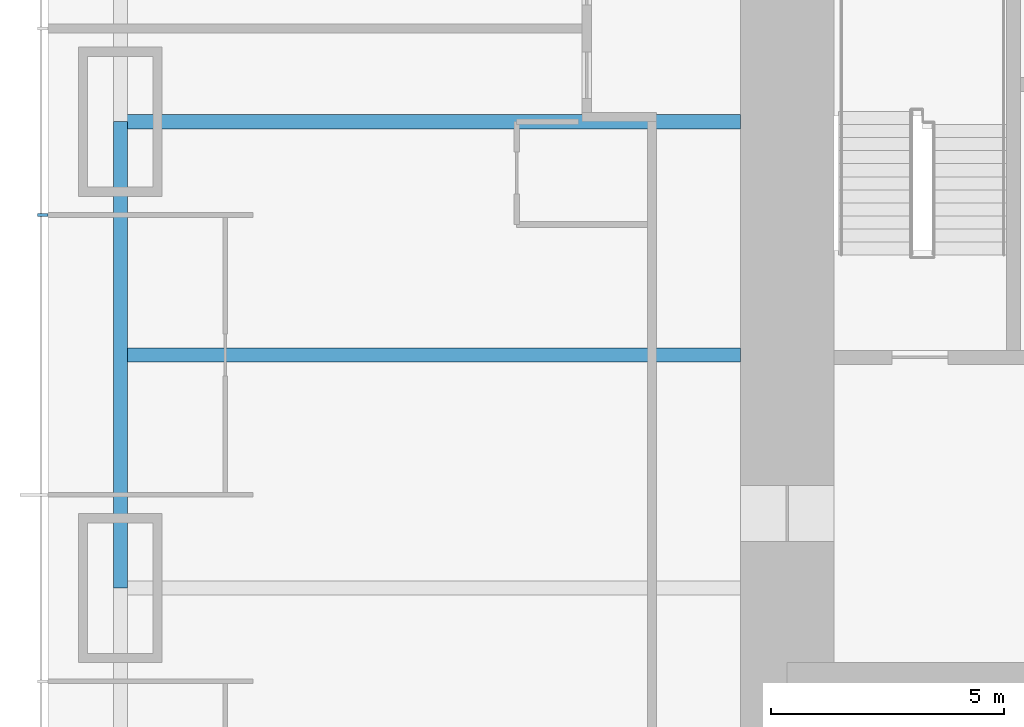
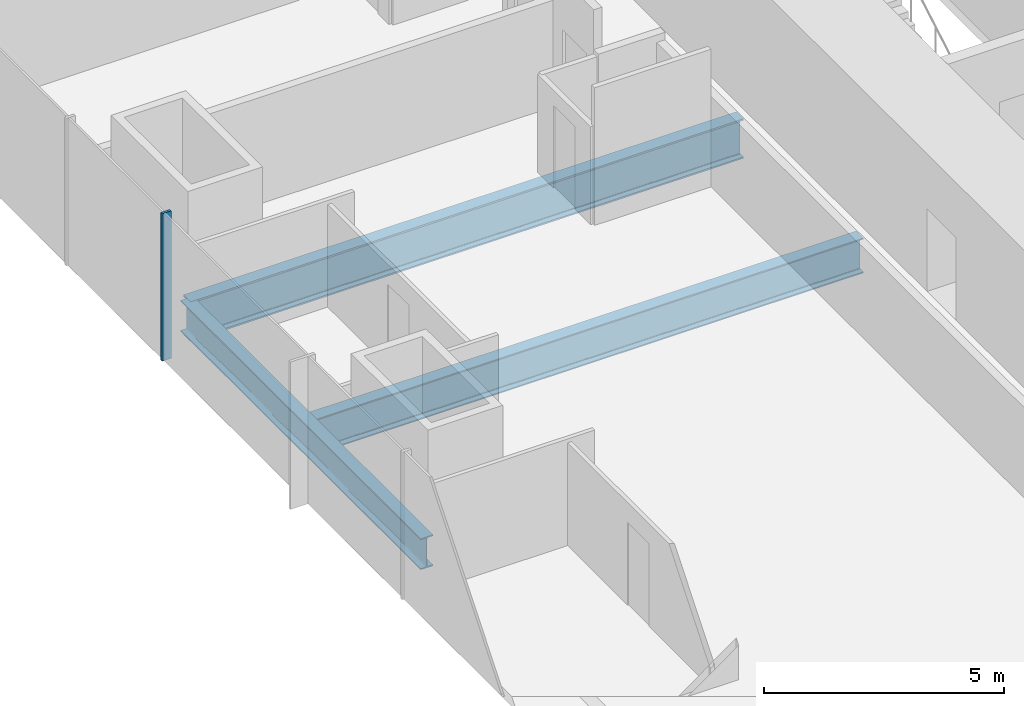
# One storey, part 3 of 16: 3 beams, 1 member, 1 element without a shape of its own.
"""IFC4 building model written with IfcOpenShell, lengths in metres."""

from ifc_helpers import new_model, si_unit, direction, frame, origin, origin_2d, place, context, subcontext, project, spatial, rectangle, i_section, extrude, material, material_profile, profile_set, type_object, element, aggregate, save


model = new_model("IFC4")

# Units and contexts
model_context = context("Model", 3, precision=1e-05, world=origin(), true_north=direction((0.0, 1.0)))
body_context = subcontext(model_context, "Body", "Model", "MODEL_VIEW")
ifc_project = project(units=[si_unit("LENGTHUNIT", "METRE"), si_unit("AREAUNIT", "SQUARE_METRE"), si_unit("VOLUMEUNIT", "CUBIC_METRE"), si_unit("PLANEANGLEUNIT", "RADIAN"), si_unit("MASSUNIT", "GRAM", prefix="KILO")], contexts=[model_context])

# Site, building, storey
site_placement = place(None, origin())
site = spatial("IfcSite", under=ifc_project, at=site_placement, CompositionType="ELEMENT")
building_placement = place(site_placement, origin())
building = spatial("IfcBuilding", under=site, at=building_placement, Name="Khuree Lantern Residences", CompositionType="ELEMENT")
storey_placement = place(building_placement, frame((0.0, 0.0, 54.75)))
storey = spatial("IfcBuildingStorey", under=building, at=storey_placement, Name="L13", CompositionType="ELEMENT", Elevation=54.75)

# Beams
ifc_material_1 = material(Name="Steel S355", Category="steel")
ifc_material_profile_1 = material_profile(ifc_material_1, i_section(OverallWidth=0.300048828125, OverallDepth=0.889892578125, WebThickness=0.01611328125, FlangeThickness=0.030029296875, FilletRadius=0.030029296875, at=origin_2d()), Name="HE 900 A")
ifc_profile_set_1 = profile_set([ifc_material_profile_1], Name="Steel S355")
beam_type_1 = type_object("IfcBeamType", Name="B-13 SECONDARY BEAM HE 900 A", PredefinedType="BEAM", material=ifc_profile_set_1)
beam_1_placement = place(storey_placement, frame((-29.800048828125, -5.0, -0.695068359375), z_axis=(1.0, 0.0, 0.0), x_axis=(0.0, 1.0, 0.0)))
element("IfcBeam", 1, at=beam_1_placement, inside=storey, type_object=beam_type_1, Name="Secondary beam W3", PredefinedType="BEAM", context=body_context, shape_type="SweptSolid", body=[
    extrude(i_section(OverallWidth=0.300048828125, OverallDepth=0.889892578125, WebThickness=0.01611328125, FlangeThickness=0.030029296875, FilletRadius=0.030029296875, at=origin_2d()), origin(), (0.0, 0.0, 1.0), 13.300048828125),
])
ifc_material_profile_2 = material_profile(ifc_material_1, i_section(OverallWidth=0.300048828125, OverallDepth=0.7900390625, WebThickness=0.014892578125, FlangeThickness=0.028076171875, FilletRadius=0.030029296875, at=origin_2d()), Name="HE 800 A")
ifc_profile_set_2 = profile_set([ifc_material_profile_2], Name="Steel S355")
beam_type_2 = type_object("IfcBeamType", Name="E-13 SPANDREL BEAM HE 800 A", PredefinedType="SPANDREL", material=ifc_profile_set_2)
beam_2_placement = place(storey_placement, frame((-29.800048828125, -10.0, -0.64501953125), z_axis=(0.0, 1.0, 0.0), x_axis=(-1.0, 0.0, 0.0)))
element("IfcBeam", 2, at=beam_2_placement, inside=storey, type_object=beam_type_2, Name="Spandrel beam W3", PredefinedType="SPANDREL", context=body_context, shape_type="SweptSolid", body=[
    extrude(i_section(OverallWidth=0.300048828125, OverallDepth=0.7900390625, WebThickness=0.014892578125, FlangeThickness=0.028076171875, FilletRadius=0.030029296875, at=origin_2d()), origin(), (0.0, 0.0, 1.0), 10.0),
])
ifc_material_profile_3 = material_profile(ifc_material_1, i_section(OverallWidth=0.302001953125, OverallDepth=1.008056640625, WebThickness=0.02099609375, FlangeThickness=0.0400390625, FilletRadius=0.030029296875, at=origin_2d()), Name="HE 1000 M")
ifc_profile_set_3 = profile_set([ifc_material_profile_3], Name="Steel S355")
beam_type_3 = type_object("IfcBeamType", Name="G-13 GIRDER HE 1000 M", PredefinedType="BEAM", material=ifc_profile_set_3)
beam_3_placement = place(storey_placement, frame((-29.800048828125, 0.0, -0.75390625), z_axis=(1.0, 0.0, 0.0), x_axis=(0.0, 1.0, 0.0)))
element("IfcBeam", 3, at=beam_3_placement, inside=storey, type_object=beam_type_3, Name="Girder W3", PredefinedType="BEAM", context=body_context, shape_type="SweptSolid", body=[
    extrude(i_section(OverallWidth=0.302001953125, OverallDepth=1.008056640625, WebThickness=0.02099609375, FlangeThickness=0.0400390625, FilletRadius=0.030029296875, at=origin_2d()), origin(), (0.0, 0.0, 1.0), 13.300048828125),
])

# Curtain wall, member
ifc_material_2 = material(Name="Bronze anodised aluminium", Category="aluminium")
curtain_wall_type = type_object("IfcCurtainWallType", Name="CW-T1 TOWER FACE CURTAIN WALL", PredefinedType="USERDEFINED", material=ifc_material_2)
curtain_wall_placement = place(storey_placement, origin())
curtain_wall = element("IfcCurtainWall", 4, at=curtain_wall_placement, inside=storey, type_object=curtain_wall_type, Name="L13 WEST FACE CURTAIN WALL", ObjectType="Stick-built curtain wall", PredefinedType="USERDEFINED")
ifc_material_profile_4 = material_profile(ifc_material_2, rectangle(XDim=0.06494140625, YDim=0.219970703125, at=origin_2d()), Name="M1 65X220")
ifc_profile_set_4 = profile_set([ifc_material_profile_4], Name="Bronze anodised aluminium")
member_type = type_object("IfcMemberType", Name="M1 BRONZE MULLION TOWER 65X220", PredefinedType="MULLION", material=ifc_profile_set_4)
member_placement = place(storey_placement, frame((-31.4599609375, -2.0, 0.0), z_axis=(0.0, 0.0, 1.0), x_axis=(0.0, -1.0, 0.0)))
member = element("IfcMember", 5, at=member_placement, type_object=member_type, Name="L13 WEST FACE MULLION 38", PredefinedType="MULLION", context=body_context, shape_type="SweptSolid", body=[
    extrude(rectangle(XDim=0.06494140625, YDim=0.219970703125, at=origin_2d()), origin(), (0.0, 0.0, 1.0), 3.75),
])
aggregate(curtain_wall, [member])

save(model, "model.ifc")
